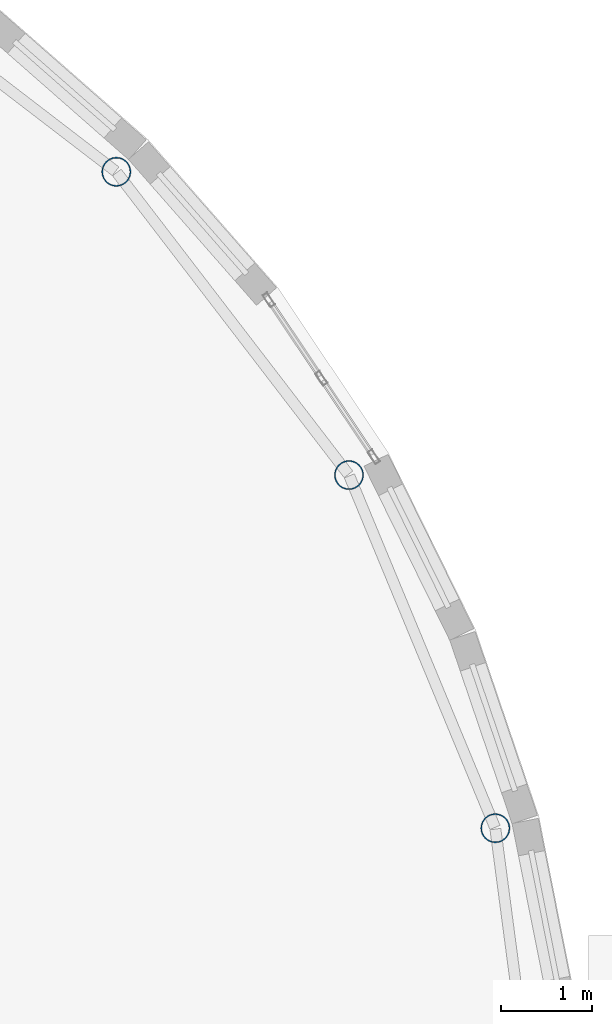
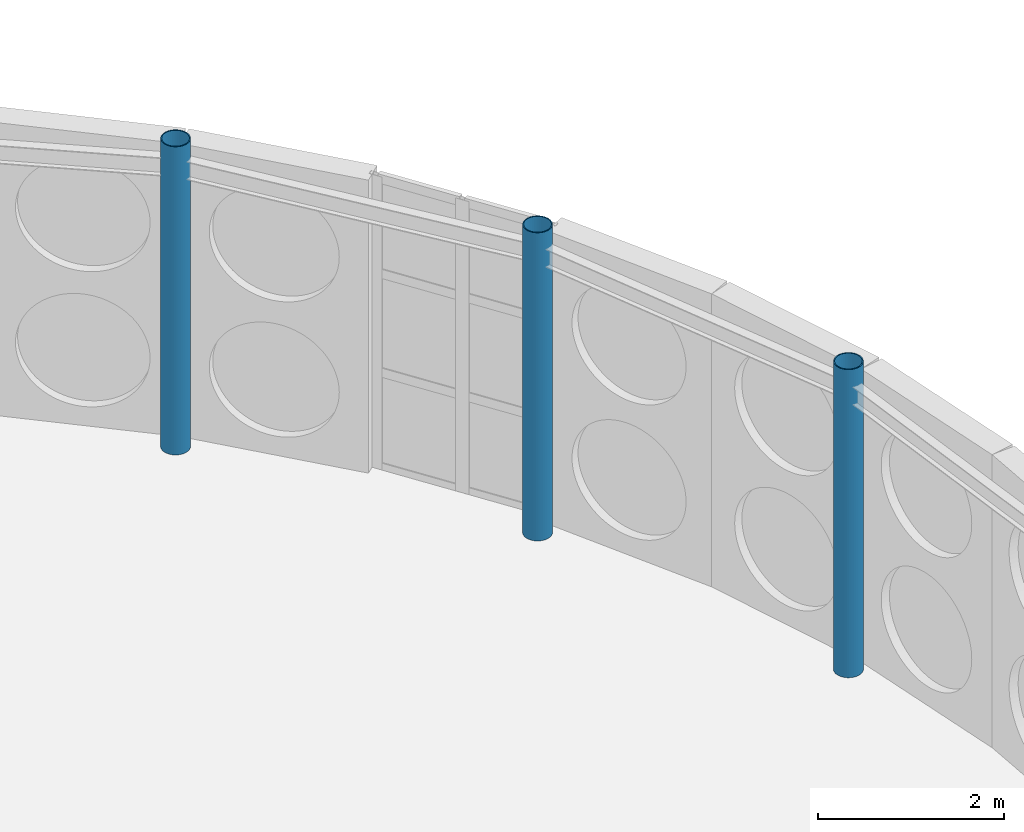
# One storey, part 7 of 189: 3 columns.
"""IFC4 building model written with IfcOpenShell, lengths in metres."""

import ifcopenshell
import ifcopenshell.guid

model = None  # the IFC model being written
_history = None  # IfcOwnerHistory: only IFC2X3 demands one
_inside = {}  # id of a spatial element -> (the spatial element, [elements in it])
_under = {}  # id of a project, library or spatial element -> (it, [spatial elements below it])
_declared = {}  # id of a project -> (the project, [libraries it declares])
_typed = {}  # id of a type object -> (the type object, [elements of that type])
_made_of = {}  # id of a material, layer set ... -> (it, [elements and type objects made of it])


def new_model(schema):
    """Start an empty IFC model of exactly this schema.

    Asked for "IFC4X3", IfcOpenShell would pick the latest addendum, in which some entities
    have other attributes; the version numbers below select the first issue.
    IFC2X3 requires an IfcOwnerHistory on every rooted entity: one is made here for all.
    """
    global model, _history
    if schema == "IFC4X3":
        model = ifcopenshell.file(schema_version=(4, 3, 0, 0))
    else:
        model = ifcopenshell.file(schema=schema)
    _inside.clear()
    _under.clear()
    _declared.clear()
    _typed.clear()
    _made_of.clear()
    _history = None
    if model.schema == "IFC2X3":
        org = make("IfcOrganization", Name="unknown")
        user = make(
            "IfcPersonAndOrganization",
            ThePerson=make("IfcPerson", FamilyName="unknown"),
            TheOrganization=org,
        )
        app = make(
            "IfcApplication",
            ApplicationDeveloper=org,
            Version="unknown",
            ApplicationFullName="unknown",
            ApplicationIdentifier="unknown",
        )
        _history = make(
            "IfcOwnerHistory",
            OwningUser=user,
            OwningApplication=app,
            ChangeAction="ADDED",
            CreationDate=0,
        )
    return model


def make(cls, **values):
    """One entity of the class cls with the attributes given. An attribute that is None is left unset."""
    return model.create_entity(
        cls, **{name: value for name, value in values.items() if value is not None}
    )


def rooted(cls, **values):
    """An entity with a GlobalId (a new one), such as an element, a storey or a relation."""
    return make(cls, GlobalId=ifcopenshell.guid.new(), OwnerHistory=_history, **values)


def si_unit(unit_type, name, prefix=None):
    """IfcSIUnit, for example si_unit("LENGTHUNIT", "METRE", prefix="MILLI")."""
    return make("IfcSIUnit", UnitType=unit_type, Prefix=prefix, Name=name)


def assignment(units):
    """IfcUnitAssignment: the units of a project."""
    return None if units is None else make("IfcUnitAssignment", Units=units)


def point(xyz):
    """IfcCartesianPoint."""
    return None if xyz is None else make("IfcCartesianPoint", Coordinates=xyz)


def direction(xyz):
    """IfcDirection."""
    return None if xyz is None else make("IfcDirection", DirectionRatios=xyz)


def frame(location, z_axis=None, x_axis=None):
    """IfcAxis2Placement3D, a coordinate frame: its origin and axes. An axis left out is left unset."""
    return make(
        "IfcAxis2Placement3D",
        Location=point(location),
        Axis=direction(z_axis),
        RefDirection=direction(x_axis),
    )


def frame_2d(location, x_axis=None):
    """IfcAxis2Placement2D, a coordinate frame in the plane: its origin and x axis."""
    return make(
        "IfcAxis2Placement2D", Location=point(location), RefDirection=direction(x_axis)
    )


def origin():
    """The frame at (0, 0, 0) with its axes left unset."""
    return frame((0.0, 0.0, 0.0))


def origin_2d():
    """The frame at (0, 0) in the plane with its x axis left unset."""
    return frame_2d((0.0, 0.0))


def place(relative_to, where):
    """IfcLocalPlacement: puts the frame where relative to a parent placement (None: the world)."""
    return make(
        "IfcLocalPlacement", PlacementRelTo=relative_to, RelativePlacement=where
    )


def context(
    kind, dimensions, precision=None, world=None, true_north=None, identifier=None
):
    """IfcGeometricRepresentationContext, for example the 3D "Model" context."""
    return make(
        "IfcGeometricRepresentationContext",
        ContextIdentifier=identifier,
        ContextType=kind,
        CoordinateSpaceDimension=dimensions,
        Precision=precision,
        WorldCoordinateSystem=world,
        TrueNorth=true_north,
    )


def subcontext(parent, identifier, kind, view, scale=None):
    """IfcGeometricRepresentationSubContext, for example "Body" below "Model"."""
    return make(
        "IfcGeometricRepresentationSubContext",
        ContextIdentifier=identifier,
        ContextType=kind,
        ParentContext=parent,
        TargetScale=scale,
        TargetView=view,
    )


def project(units=None, contexts=None):
    """IfcProject with its units and contexts."""
    return rooted(
        "IfcProject",
        Name="project",
        RepresentationContexts=contexts,
        UnitsInContext=assignment(units),
    )


def spatial(cls, under=None, at=None, **own):
    """A site, building, storey or space (cls), placed at a placement, below another one or the project."""
    s = rooted(cls, ObjectPlacement=at, **own)
    if under is not None:
        _under.setdefault(under.id(), (under, []))[1].append(s)
    return s


def profile(cls, at=None, kind="AREA", **sizes):
    """A parametric profile (cls). Its sizes go by their IFC names, for example OverallWidth=200.0."""
    return make(cls, ProfileType=kind, Position=at, **sizes)


def hollow_circle(**sizes):
    """IfcCircleHollowProfileDef."""
    return profile("IfcCircleHollowProfileDef", **sizes)


def extrude(swept, where, along, depth):
    """IfcExtrudedAreaSolid: the profile swept, set in the frame where, extruded along a direction by depth."""
    return make(
        "IfcExtrudedAreaSolid",
        SweptArea=swept,
        Position=where,
        ExtrudedDirection=direction(along),
        Depth=depth,
    )


def shape(context_of_items, identifier, shape_type, items):
    """IfcShapeRepresentation: the items that make up one representation, for example the "Body"."""
    return make(
        "IfcShapeRepresentation",
        ContextOfItems=context_of_items,
        RepresentationIdentifier=identifier,
        RepresentationType=shape_type,
        Items=items,
    )


def material(Name=None, Category=None):
    """IfcMaterial."""
    return make("IfcMaterial", Name=Name, Category=Category)


def material_profile(
    of_material, cross_section, Name=None, Category=None, Priority=None
):
    """IfcMaterialProfile: a cross section and its material."""
    return make(
        "IfcMaterialProfile",
        Name=Name,
        Material=of_material,
        Profile=cross_section,
        Priority=Priority,
        Category=Category,
    )


def profile_set(profiles, Name=None, composite=None):
    """IfcMaterialProfileSet."""
    return make(
        "IfcMaterialProfileSet",
        Name=Name,
        MaterialProfiles=profiles,
        CompositeProfile=composite,
    )


def made_of(thing, what):
    """Note that an element or type object is made of a material, layer set ...; save() writes the relation."""
    if what is not None:
        _made_of.setdefault(what.id(), (what, []))[1].append(thing)
    return thing


def type_object(cls, material=None, **own):
    """A type object (cls), such as IfcWallType, which elements share."""
    return made_of(rooted(cls, **own), material)


def element(
    cls,
    number,
    at=None,
    inside=None,
    cuts=None,
    type_object=None,
    material=None,
    context=None,
    identifier="Body",
    shape_type=None,
    held_by="IfcProductDefinitionShape",
    body=None,
    shapes=None,
    **own,
):
    """One element of the class cls, such as IfcWall. Its Tag is "e" and its number.

    at: its placement. inside: the storey or other place that contains it. cuts: it is an
    opening in that element (IfcRelVoidsElement). A single representation is given by context,
    identifier, shape_type and body (its items); several are given by shapes. held_by: the class
    of the entity that holds the representations. save() writes the other relations.
    """
    e = rooted(cls, Tag="e%d" % number, ObjectPlacement=at, **own)
    if body is not None:
        shapes = [shape(context, identifier, shape_type, body)]
    if shapes is not None:
        e.Representation = make(held_by, Representations=shapes)
    if inside is not None:
        _inside.setdefault(inside.id(), (inside, []))[1].append(e)
    if cuts is not None:
        rooted(
            "IfcRelVoidsElement", RelatingBuildingElement=cuts, RelatedOpeningElement=e
        )
    if type_object is not None:
        _typed.setdefault(type_object.id(), (type_object, []))[1].append(e)
    return made_of(e, material)


def aggregate(whole, parts):
    """IfcRelAggregates: a whole, such as a stair, and the parts it consists of."""
    return rooted("IfcRelAggregates", RelatingObject=whole, RelatedObjects=parts)


def save(model, path):
    """Write the relations noted so far, then the file.

    IfcRelAggregates (storeys below a building ...), IfcRelContainedInSpatialStructure (elements
    in a storey), IfcRelDefinesByType, IfcRelAssociatesMaterial and IfcRelDeclares: one each for
    every whole, place, type object, material and project.
    """
    for whole, parts in _under.values():
        aggregate(whole, parts)
    for where, things in _inside.values():
        rooted(
            "IfcRelContainedInSpatialStructure",
            RelatedElements=things,
            RelatingStructure=where,
        )
    for kind, things in _typed.values():
        rooted("IfcRelDefinesByType", RelatedObjects=things, RelatingType=kind)
    for what, things in _made_of.values():
        rooted("IfcRelAssociatesMaterial", RelatedObjects=things, RelatingMaterial=what)
    for by, libraries in _declared.values():
        rooted("IfcRelDeclares", RelatingContext=by, RelatedDefinitions=libraries)
    model.write(path)


model = new_model("IFC4")

# Units and contexts
model_context = context("Model", 3, precision=1e-05, world=origin(), true_north=direction((0.0, 1.0)))
body_context = subcontext(model_context, "Body", "Model", "MODEL_VIEW")
ifc_project = project(units=[si_unit("LENGTHUNIT", "METRE"), si_unit("AREAUNIT", "SQUARE_METRE"), si_unit("VOLUMEUNIT", "CUBIC_METRE"), si_unit("PLANEANGLEUNIT", "RADIAN"), si_unit("MASSUNIT", "GRAM", prefix="KILO")], contexts=[model_context])

# Site, building, storey
site_placement = place(None, origin())
site = spatial("IfcSite", under=ifc_project, at=site_placement, CompositionType="ELEMENT")
building_placement = place(site_placement, origin())
building = spatial("IfcBuilding", under=site, at=building_placement, Name="Montecoro Central Library", CompositionType="ELEMENT")
storey_placement = place(building_placement, frame((0.0, 0.0, 9.179931640625)))
storey = spatial("IfcBuildingStorey", under=building, at=storey_placement, Name="L02", CompositionType="ELEMENT", Elevation=9.179931640625)

# Columns
ifc_material = material(Name="Steel S355", Category="steel")
ifc_material_profile = material_profile(ifc_material, hollow_circle(Radius=0.161865234375, WallThickness=0.012451171875, at=origin_2d()), Name="CHS 323.9x12.5")
ifc_profile_set = profile_set([ifc_material_profile], Name="Steel S355")
column_type = type_object("IfcColumnType", Name="COL-CHS324", PredefinedType="COLUMN", material=ifc_profile_set)
for number, where, z_axis, x_axis, name in (
    (1, (107.22900390625, 39.587890625, 0.0), (0.0, 0.0, 1.0), (1.0, 0.0, 0.0), "V1-L02-DCOL-02"),
    (2, (105.612060546875, 43.489990234375, 0.0), (0.0, 0.0, 1.0), (1.0, 0.0, 0.0), "V1-L02-DCOL-03"),
    (3, (103.041015625, 46.841064453125, 0.0), (0.0, 0.0, 1.0), (1.0, 0.0, 0.0), "V1-L02-DCOL-04"),
):
    element("IfcColumn", number, at=place(storey_placement, frame(where, z_axis=z_axis, x_axis=x_axis)), inside=storey, type_object=column_type, Name=name, PredefinedType="COLUMN", context=body_context, shape_type="SweptSolid", body=[
        extrude(hollow_circle(Radius=0.161865234375, WallThickness=0.012451171875, at=origin_2d()), origin(), (0.0, 0.0, 1.0), 4.05517578125),
    ])

save(model, "model.ifc")
